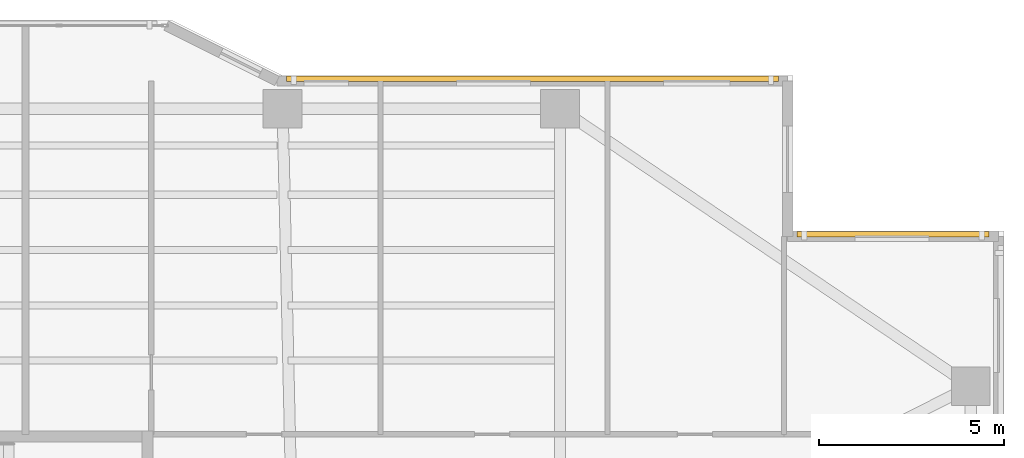
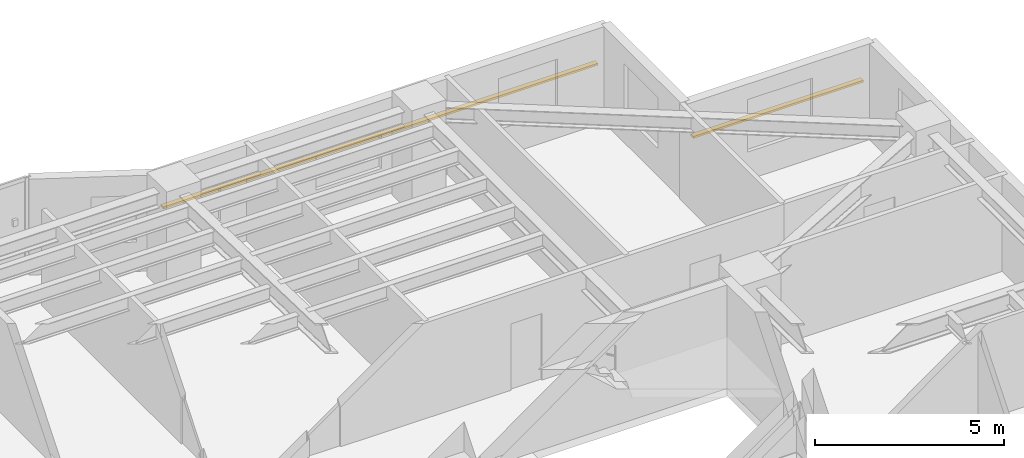
# One storey, part 18 of 18: 2 shading devices.
"""IFC4 building model written with IfcOpenShell, lengths in metres."""

from ifc_helpers import new_model, si_unit, direction, frame, origin, origin_2d, place, context, subcontext, project, spatial, rectangle, extrude, material, material_profile, profile_set, type_object, element, save


model = new_model("IFC4")

# Units and contexts
model_context = context("Model", 3, precision=1e-05, world=origin(), true_north=direction((0.0, 1.0)))
body_context = subcontext(model_context, "Body", "Model", "MODEL_VIEW")
ifc_project = project(units=[si_unit("LENGTHUNIT", "METRE"), si_unit("AREAUNIT", "SQUARE_METRE"), si_unit("VOLUMEUNIT", "CUBIC_METRE"), si_unit("PLANEANGLEUNIT", "RADIAN"), si_unit("MASSUNIT", "GRAM", prefix="KILO")], contexts=[model_context])

# Site, building, storey
site_placement = place(None, origin())
site = spatial("IfcSite", under=ifc_project, at=site_placement, CompositionType="ELEMENT")
building_placement = place(site_placement, origin())
building = spatial("IfcBuilding", under=site, at=building_placement, Name="Tarnavaz Court Tower", CompositionType="ELEMENT")
storey_placement = place(building_placement, frame((0.0, 0.0, 105.10009765625)))
storey = spatial("IfcBuildingStorey", under=building, at=storey_placement, Name="L28", CompositionType="ELEMENT", Elevation=105.10009765625)

# Shading devices
ifc_material = material(Name="Kiln-Fired Khorasan Terracotta Ceramic", Category="masonry")
ifc_material_profile = material_profile(ifc_material, rectangle(XDim=0.14990234375, YDim=0.06494140625, at=origin_2d()), Name="TC BAGUETTE 150X65")
ifc_profile_set = profile_set([ifc_material_profile], Name="Kiln-Fired Khorasan Terracotta Ceramic")
shading_device_type = type_object("IfcShadingDeviceType", Name="SD-BAG-150", PredefinedType="USERDEFINED", material=ifc_profile_set)
shading_device_1_placement = place(storey_placement, frame((7.60009765625, 22.110107421875, 1.849853515625), z_axis=(1.0, 0.0, 0.0), x_axis=(0.0, 1.0, 0.0)))
element("IfcShadingDevice", 1, at=shading_device_1_placement, inside=storey, type_object=shading_device_type, Name="L28 Terracotta Baguette Screen FBG09", ObjectType="BAGUETTE", PredefinedType="USERDEFINED", context=body_context, shape_type="SweptSolid", body=[
    extrude(rectangle(XDim=0.14990234375, YDim=0.06494140625, at=origin_2d()), origin(), (0.0, 0.0, 1.0), 13.2998046875),
])
shading_device_2_placement = place(storey_placement, frame((21.39990234375, 17.909912109375, 1.849853515625), z_axis=(1.0, 0.0, 0.0), x_axis=(0.0, 1.0, 0.0)))
element("IfcShadingDevice", 2, at=shading_device_2_placement, inside=storey, type_object=shading_device_type, Name="L28 Terracotta Baguette Screen FBG11", ObjectType="BAGUETTE", PredefinedType="USERDEFINED", context=body_context, shape_type="SweptSolid", body=[
    extrude(rectangle(XDim=0.14990234375, YDim=0.06494140625, at=origin_2d()), origin(), (0.0, 0.0, 1.0), 5.2001953125),
])

save(model, "model.ifc")
